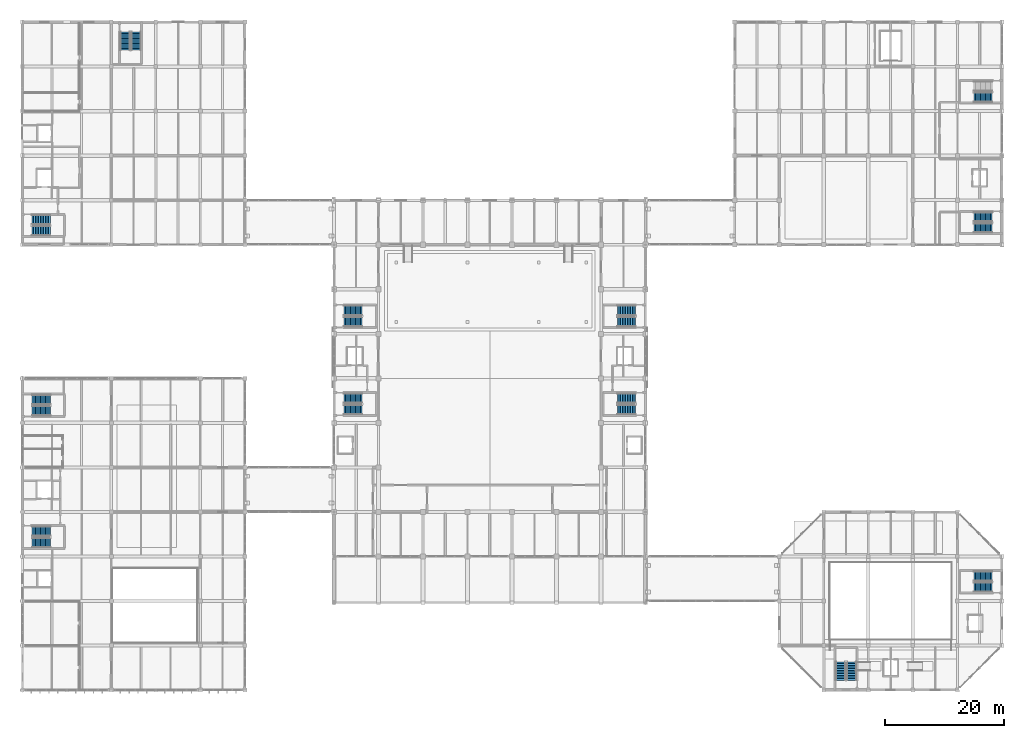
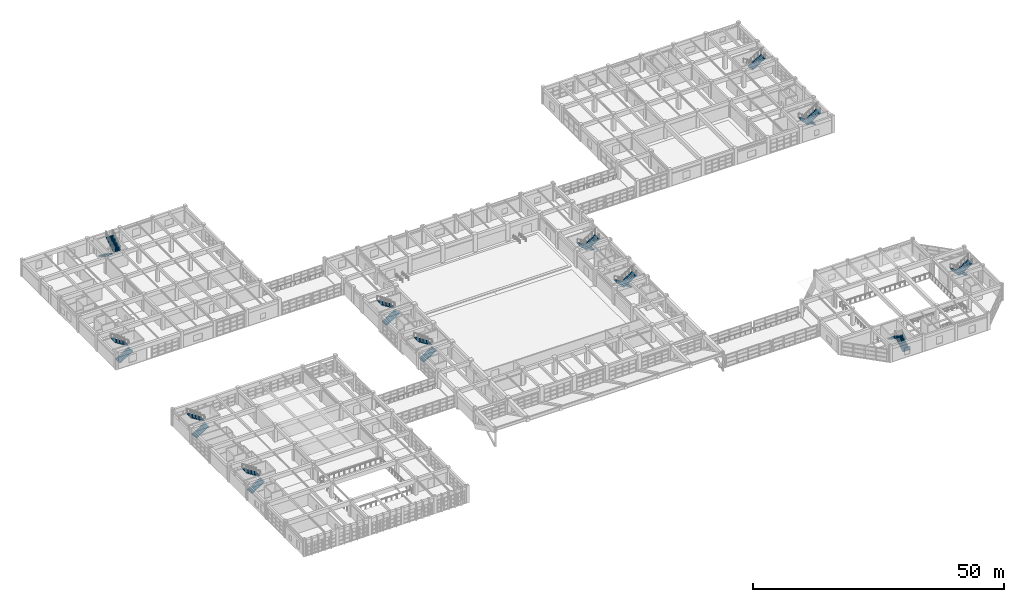
# One storey, part 110 of 132: 23 stair flights, 12 elements without a shape of their own.
"""IFC4 building model written with IfcOpenShell, lengths in metres."""

from ifc_helpers import new_model, si_unit, direction, frame, origin, place, context, subcontext, project, spatial, polyline, outline, extrude, material, type_object, element, aggregate, save


model = new_model("IFC4")

# Units and contexts
model_context = context("Model", 3, precision=1e-05, world=origin(), true_north=direction((0.0, 1.0)))
body_context = subcontext(model_context, "Body", "Model", "MODEL_VIEW")
ifc_project = project(units=[si_unit("LENGTHUNIT", "METRE"), si_unit("AREAUNIT", "SQUARE_METRE"), si_unit("VOLUMEUNIT", "CUBIC_METRE"), si_unit("PLANEANGLEUNIT", "RADIAN"), si_unit("MASSUNIT", "GRAM", prefix="KILO")], contexts=[model_context])

# Site, building, storey
site_placement = place(None, origin())
site = spatial("IfcSite", under=ifc_project, at=site_placement, CompositionType="ELEMENT")
building_placement = place(site_placement, origin())
building = spatial("IfcBuilding", under=site, at=building_placement, Name="Qasida Concert Hall", CompositionType="ELEMENT")
storey_placement = place(building_placement, frame((0.0, 0.0, 4.800048828125)))
storey = spatial("IfcBuildingStorey", under=building, at=storey_placement, Name="L01", CompositionType="ELEMENT", Elevation=4.800048828125)

# Stair, stair flights
ifc_material = material(Name="Concrete C40/50", Category="concrete")
stair_type_1 = type_object("IfcStairType", Name="ST-DL-165", PredefinedType="HALF_TURN_STAIR", material=ifc_material)
stair_1_placement = place(storey_placement, origin())
stair_1 = element("IfcStair", 1, at=stair_1_placement, inside=storey, type_object=stair_type_1, Name="L01 Exit stair ST-05", PredefinedType="HALF_TURN_STAIR")
stair_flight_type_1 = type_object("IfcStairFlightType", Name="SF-DL-165", PredefinedType="STRAIGHT", material=ifc_material)
stair_flight_1_placement = place(storey_placement, frame((1.64990234375, 77.324951171875, 0.0), z_axis=(0.0, 0.0, 1.0), x_axis=(1.0, 0.0, 0.0)))
stair_flight_1 = element("IfcStairFlight", 2, at=stair_flight_1_placement, type_object=stair_flight_type_1, Name="ST-05 flight 1", NumberOfRisers=12, NumberOfTreads=11, PredefinedType="STRAIGHT", RiserHeight=0.175, TreadLength=0.28, context=body_context, shape_type="SweptSolid", body=[
    extrude(outline(polyline([(0.0, 0.0), (0.0, 0.175048828125), (0.280029296875, 0.175048828125), (0.280029296875, 0.35009765625), (0.56005859375, 0.35009765625), (0.56005859375, 0.52490234375), (0.840087890625, 0.52490234375), (0.840087890625, 0.699951171875), (1.1201171875, 0.699951171875), (1.1201171875, 0.875), (1.39990234375, 0.875), (1.39990234375, 1.050048828125), (1.679931640625, 1.050048828125), (1.679931640625, 1.22509765625), (1.9599609375, 1.22509765625), (1.9599609375, 1.39990234375), (2.239990234375, 1.39990234375), (2.239990234375, 1.574951171875), (2.52001953125, 1.574951171875), (2.52001953125, 1.75), (2.800048828125, 1.75), (2.800048828125, 1.925048828125), (3.080078125, 1.925048828125), (3.080078125, 2.10009765625), (3.080078125, 1.736328125), (0.3017578125, 0.0), (0.0, 0.0)])), frame((0.0, 0.824951171875, 0.0), z_axis=(0.0, -1.0, 0.0), x_axis=(1.0, 0.0, 0.0)), (0.0, 0.0, 1.0), 1.64990234375),
])
stair_flight_2_placement = place(storey_placement, frame((4.72998046875, 79.175048828125, 2.099853515625), z_axis=(0.0, 0.0, 1.0), x_axis=(-1.0, 0.0, 0.0)))
stair_flight_2 = element("IfcStairFlight", 3, at=stair_flight_2_placement, type_object=stair_flight_type_1, Name="ST-05 flight 2", NumberOfRisers=12, NumberOfTreads=11, PredefinedType="STRAIGHT", RiserHeight=0.175, TreadLength=0.28, context=body_context, shape_type="SweptSolid", body=[
    extrude(outline(polyline([(0.0, 0.0), (0.0, 0.175048828125), (0.280029296875, 0.175048828125), (0.280029296875, 0.35009765625), (0.56005859375, 0.35009765625), (0.56005859375, 0.52490234375), (0.840087890625, 0.52490234375), (0.840087890625, 0.699951171875), (1.1201171875, 0.699951171875), (1.1201171875, 0.875), (1.39990234375, 0.875), (1.39990234375, 1.050048828125), (1.679931640625, 1.050048828125), (1.679931640625, 1.22509765625), (1.9599609375, 1.22509765625), (1.9599609375, 1.39990234375), (2.239990234375, 1.39990234375), (2.239990234375, 1.574951171875), (2.52001953125, 1.574951171875), (2.52001953125, 1.75), (2.800048828125, 1.75), (2.800048828125, 1.925048828125), (3.080078125, 1.925048828125), (3.080078125, 2.10009765625), (3.080078125, 1.736328125), (0.3017578125, 0.0), (0.0, 0.0)])), frame((0.0, 0.824951171875, 0.0), z_axis=(0.0, -1.0, 0.0), x_axis=(1.0, 0.0, 0.0)), (0.0, 0.0, 1.0), 1.64990234375),
])
aggregate(stair_1, [stair_flight_1, stair_flight_2])

stair_2_placement = place(storey_placement, origin())
stair_2 = element("IfcStair", 4, at=stair_2_placement, inside=storey, type_object=stair_type_1, Name="L01 Exit stair ST-06", PredefinedType="HALF_TURN_STAIR")
stair_flight_3_placement = place(storey_placement, frame((17.324951171875, 110.85009765625, 0.0), z_axis=(0.0, 0.0, 1.0), x_axis=(0.0, -1.0, 0.0)))
stair_flight_3 = element("IfcStairFlight", 5, at=stair_flight_3_placement, type_object=stair_flight_type_1, Name="ST-06 flight 1", NumberOfRisers=12, NumberOfTreads=11, PredefinedType="STRAIGHT", RiserHeight=0.175, TreadLength=0.28, context=body_context, shape_type="SweptSolid", body=[
    extrude(outline(polyline([(0.0, 0.0), (0.0, 0.175048828125), (0.280029296875, 0.175048828125), (0.280029296875, 0.35009765625), (0.56005859375, 0.35009765625), (0.56005859375, 0.52490234375), (0.840087890625, 0.52490234375), (0.840087890625, 0.699951171875), (1.1201171875, 0.699951171875), (1.1201171875, 0.875), (1.39990234375, 0.875), (1.39990234375, 1.050048828125), (1.679931640625, 1.050048828125), (1.679931640625, 1.22509765625), (1.9599609375, 1.22509765625), (1.9599609375, 1.39990234375), (2.239990234375, 1.39990234375), (2.239990234375, 1.574951171875), (2.52001953125, 1.574951171875), (2.52001953125, 1.75), (2.800048828125, 1.75), (2.800048828125, 1.925048828125), (3.080078125, 1.925048828125), (3.080078125, 2.10009765625), (3.080078125, 1.736328125), (0.3017578125, 0.0), (0.0, 0.0)])), frame((0.0, 0.824951171875, 0.0), z_axis=(0.0, -1.0, 0.0), x_axis=(1.0, 0.0, 0.0)), (0.0, 0.0, 1.0), 1.64990234375),
])
stair_flight_4_placement = place(storey_placement, frame((19.175048828125, 107.77001953125, 2.099853515625), z_axis=(0.0, 0.0, 1.0), x_axis=(0.0, 1.0, 0.0)))
stair_flight_4 = element("IfcStairFlight", 6, at=stair_flight_4_placement, type_object=stair_flight_type_1, Name="ST-06 flight 2", NumberOfRisers=12, NumberOfTreads=11, PredefinedType="STRAIGHT", RiserHeight=0.175, TreadLength=0.28, context=body_context, shape_type="SweptSolid", body=[
    extrude(outline(polyline([(0.0, 0.0), (0.0, 0.175048828125), (0.280029296875, 0.175048828125), (0.280029296875, 0.35009765625), (0.56005859375, 0.35009765625), (0.56005859375, 0.52490234375), (0.840087890625, 0.52490234375), (0.840087890625, 0.699951171875), (1.1201171875, 0.699951171875), (1.1201171875, 0.875), (1.39990234375, 0.875), (1.39990234375, 1.050048828125), (1.679931640625, 1.050048828125), (1.679931640625, 1.22509765625), (1.9599609375, 1.22509765625), (1.9599609375, 1.39990234375), (2.239990234375, 1.39990234375), (2.239990234375, 1.574951171875), (2.52001953125, 1.574951171875), (2.52001953125, 1.75), (2.800048828125, 1.75), (2.800048828125, 1.925048828125), (3.080078125, 1.925048828125), (3.080078125, 2.10009765625), (3.080078125, 1.736328125), (0.3017578125, 0.0), (0.0, 0.0)])), frame((0.0, 0.824951171875, 0.0), z_axis=(0.0, -1.0, 0.0), x_axis=(1.0, 0.0, 0.0)), (0.0, 0.0, 1.0), 1.64990234375),
])
aggregate(stair_2, [stair_flight_3, stair_flight_4])

stair_3_placement = place(storey_placement, origin())
stair_3 = element("IfcStair", 7, at=stair_3_placement, inside=storey, type_object=stair_type_1, Name="L01 Exit stair ST-07", PredefinedType="HALF_TURN_STAIR")
stair_flight_5_placement = place(storey_placement, frame((163.35009765625, 79.675048828125, 0.0), z_axis=(0.0, 0.0, 1.0), x_axis=(-1.0, 0.0, 0.0)))
stair_flight_5 = element("IfcStairFlight", 8, at=stair_flight_5_placement, type_object=stair_flight_type_1, Name="ST-07 flight 1", NumberOfRisers=12, NumberOfTreads=11, PredefinedType="STRAIGHT", RiserHeight=0.175, TreadLength=0.28, context=body_context, shape_type="SweptSolid", body=[
    extrude(outline(polyline([(0.0, 0.0), (0.0, 0.175048828125), (0.280029296875, 0.175048828125), (0.280029296875, 0.35009765625), (0.56005859375, 0.35009765625), (0.56005859375, 0.52490234375), (0.840087890625, 0.52490234375), (0.840087890625, 0.699951171875), (1.1201171875, 0.699951171875), (1.1201171875, 0.875), (1.39990234375, 0.875), (1.39990234375, 1.050048828125), (1.679931640625, 1.050048828125), (1.679931640625, 1.22509765625), (1.9599609375, 1.22509765625), (1.9599609375, 1.39990234375), (2.239990234375, 1.39990234375), (2.239990234375, 1.574951171875), (2.52001953125, 1.574951171875), (2.52001953125, 1.75), (2.800048828125, 1.75), (2.800048828125, 1.925048828125), (3.080078125, 1.925048828125), (3.080078125, 2.10009765625), (3.080078125, 1.736328125), (0.3017578125, 0.0), (0.0, 0.0)])), frame((0.0, 0.824951171875, 0.0), z_axis=(0.0, -1.0, 0.0), x_axis=(1.0, 0.0, 0.0)), (0.0, 0.0, 1.0), 1.64990234375),
])
stair_flight_6_placement = place(storey_placement, frame((160.27001953125, 77.824951171875, 2.099853515625), z_axis=(0.0, 0.0, 1.0), x_axis=(1.0, 0.0, 0.0)))
stair_flight_6 = element("IfcStairFlight", 9, at=stair_flight_6_placement, type_object=stair_flight_type_1, Name="ST-07 flight 2", NumberOfRisers=12, NumberOfTreads=11, PredefinedType="STRAIGHT", RiserHeight=0.175, TreadLength=0.28, context=body_context, shape_type="SweptSolid", body=[
    extrude(outline(polyline([(0.0, 0.0), (0.0, 0.175048828125), (0.280029296875, 0.175048828125), (0.280029296875, 0.35009765625), (0.56005859375, 0.35009765625), (0.56005859375, 0.52490234375), (0.840087890625, 0.52490234375), (0.840087890625, 0.699951171875), (1.1201171875, 0.699951171875), (1.1201171875, 0.875), (1.39990234375, 0.875), (1.39990234375, 1.050048828125), (1.679931640625, 1.050048828125), (1.679931640625, 1.22509765625), (1.9599609375, 1.22509765625), (1.9599609375, 1.39990234375), (2.239990234375, 1.39990234375), (2.239990234375, 1.574951171875), (2.52001953125, 1.574951171875), (2.52001953125, 1.75), (2.800048828125, 1.75), (2.800048828125, 1.925048828125), (3.080078125, 1.925048828125), (3.080078125, 2.10009765625), (3.080078125, 1.736328125), (0.3017578125, 0.0), (0.0, 0.0)])), frame((0.0, 0.824951171875, 0.0), z_axis=(0.0, -1.0, 0.0), x_axis=(1.0, 0.0, 0.0)), (0.0, 0.0, 1.0), 1.64990234375),
])
aggregate(stair_3, [stair_flight_5, stair_flight_6])

# Stair, stair flight
stair_4_placement = place(storey_placement, origin())
stair_4 = element("IfcStair", 10, at=stair_4_placement, inside=storey, type_object=stair_type_1, Name="L01 Exit stair ST-08", PredefinedType="HALF_TURN_STAIR")
stair_flight_7_placement = place(storey_placement, frame((160.27001953125, 99.824951171875, 2.099853515625), z_axis=(0.0, 0.0, 1.0), x_axis=(1.0, 0.0, 0.0)))
stair_flight_7 = element("IfcStairFlight", 11, at=stair_flight_7_placement, type_object=stair_flight_type_1, Name="ST-08 flight 2", NumberOfRisers=12, NumberOfTreads=11, PredefinedType="STRAIGHT", RiserHeight=0.175, TreadLength=0.28, context=body_context, shape_type="SweptSolid", body=[
    extrude(outline(polyline([(0.0, 0.0), (0.0, 0.175048828125), (0.280029296875, 0.175048828125), (0.280029296875, 0.35009765625), (0.56005859375, 0.35009765625), (0.56005859375, 0.52490234375), (0.840087890625, 0.52490234375), (0.840087890625, 0.699951171875), (1.1201171875, 0.699951171875), (1.1201171875, 0.875), (1.39990234375, 0.875), (1.39990234375, 1.050048828125), (1.679931640625, 1.050048828125), (1.679931640625, 1.22509765625), (1.9599609375, 1.22509765625), (1.9599609375, 1.39990234375), (2.239990234375, 1.39990234375), (2.239990234375, 1.574951171875), (2.52001953125, 1.574951171875), (2.52001953125, 1.75), (2.800048828125, 1.75), (2.800048828125, 1.925048828125), (3.080078125, 1.925048828125), (3.080078125, 2.10009765625), (3.080078125, 1.736328125), (0.3017578125, 0.0), (0.0, 0.0)])), frame((0.0, 0.824951171875, 0.0), z_axis=(0.0, -1.0, 0.0), x_axis=(1.0, 0.0, 0.0)), (0.0, 0.0, 1.0), 1.64990234375),
])
aggregate(stair_4, [stair_flight_7])

# Stair, stair flights
stair_5_placement = place(storey_placement, origin())
stair_5 = element("IfcStair", 12, at=stair_5_placement, inside=storey, type_object=stair_type_1, Name="L01 Exit stair ST-09", PredefinedType="HALF_TURN_STAIR")
stair_flight_8_placement = place(storey_placement, frame((139.675048828125, 1.64990234375, 0.0), z_axis=(0.0, 0.0, 1.0), x_axis=(0.0, 1.0, 0.0)))
stair_flight_8 = element("IfcStairFlight", 13, at=stair_flight_8_placement, type_object=stair_flight_type_1, Name="ST-09 flight 1", NumberOfRisers=12, NumberOfTreads=11, PredefinedType="STRAIGHT", RiserHeight=0.175, TreadLength=0.28, context=body_context, shape_type="SweptSolid", body=[
    extrude(outline(polyline([(0.0, 0.0), (0.0, 0.175048828125), (0.280029296875, 0.175048828125), (0.280029296875, 0.35009765625), (0.56005859375, 0.35009765625), (0.56005859375, 0.52490234375), (0.840087890625, 0.52490234375), (0.840087890625, 0.699951171875), (1.1201171875, 0.699951171875), (1.1201171875, 0.875), (1.39990234375, 0.875), (1.39990234375, 1.050048828125), (1.679931640625, 1.050048828125), (1.679931640625, 1.22509765625), (1.9599609375, 1.22509765625), (1.9599609375, 1.39990234375), (2.239990234375, 1.39990234375), (2.239990234375, 1.574951171875), (2.52001953125, 1.574951171875), (2.52001953125, 1.75), (2.800048828125, 1.75), (2.800048828125, 1.925048828125), (3.080078125, 1.925048828125), (3.080078125, 2.10009765625), (3.080078125, 1.736328125), (0.3017578125, 0.0), (0.0, 0.0)])), frame((0.0, 0.824951171875, 0.0), z_axis=(0.0, -1.0, 0.0), x_axis=(1.0, 0.0, 0.0)), (0.0, 0.0, 1.0), 1.64990234375),
])
stair_flight_9_placement = place(storey_placement, frame((137.824951171875, 4.72998046875, 2.099853515625), z_axis=(0.0, 0.0, 1.0), x_axis=(0.0, -1.0, 0.0)))
stair_flight_9 = element("IfcStairFlight", 14, at=stair_flight_9_placement, type_object=stair_flight_type_1, Name="ST-09 flight 2", NumberOfRisers=12, NumberOfTreads=11, PredefinedType="STRAIGHT", RiserHeight=0.175, TreadLength=0.28, context=body_context, shape_type="SweptSolid", body=[
    extrude(outline(polyline([(0.0, 0.0), (0.0, 0.175048828125), (0.280029296875, 0.175048828125), (0.280029296875, 0.35009765625), (0.56005859375, 0.35009765625), (0.56005859375, 0.52490234375), (0.840087890625, 0.52490234375), (0.840087890625, 0.699951171875), (1.1201171875, 0.699951171875), (1.1201171875, 0.875), (1.39990234375, 0.875), (1.39990234375, 1.050048828125), (1.679931640625, 1.050048828125), (1.679931640625, 1.22509765625), (1.9599609375, 1.22509765625), (1.9599609375, 1.39990234375), (2.239990234375, 1.39990234375), (2.239990234375, 1.574951171875), (2.52001953125, 1.574951171875), (2.52001953125, 1.75), (2.800048828125, 1.75), (2.800048828125, 1.925048828125), (3.080078125, 1.925048828125), (3.080078125, 2.10009765625), (3.080078125, 1.736328125), (0.3017578125, 0.0), (0.0, 0.0)])), frame((0.0, 0.824951171875, 0.0), z_axis=(0.0, -1.0, 0.0), x_axis=(1.0, 0.0, 0.0)), (0.0, 0.0, 1.0), 1.64990234375),
])
aggregate(stair_5, [stair_flight_8, stair_flight_9])

stair_6_placement = place(storey_placement, origin())
stair_6 = element("IfcStair", 15, at=stair_6_placement, inside=storey, type_object=stair_type_1, Name="L01 Exit stair ST-10", PredefinedType="HALF_TURN_STAIR")
stair_flight_10_placement = place(storey_placement, frame((163.35009765625, 19.175048828125, 0.0), z_axis=(0.0, 0.0, 1.0), x_axis=(-1.0, 0.0, 0.0)))
stair_flight_10 = element("IfcStairFlight", 16, at=stair_flight_10_placement, type_object=stair_flight_type_1, Name="ST-10 flight 1", NumberOfRisers=12, NumberOfTreads=11, PredefinedType="STRAIGHT", RiserHeight=0.175, TreadLength=0.28, context=body_context, shape_type="SweptSolid", body=[
    extrude(outline(polyline([(0.0, 0.0), (0.0, 0.175048828125), (0.280029296875, 0.175048828125), (0.280029296875, 0.35009765625), (0.56005859375, 0.35009765625), (0.56005859375, 0.52490234375), (0.840087890625, 0.52490234375), (0.840087890625, 0.699951171875), (1.1201171875, 0.699951171875), (1.1201171875, 0.875), (1.39990234375, 0.875), (1.39990234375, 1.050048828125), (1.679931640625, 1.050048828125), (1.679931640625, 1.22509765625), (1.9599609375, 1.22509765625), (1.9599609375, 1.39990234375), (2.239990234375, 1.39990234375), (2.239990234375, 1.574951171875), (2.52001953125, 1.574951171875), (2.52001953125, 1.75), (2.800048828125, 1.75), (2.800048828125, 1.925048828125), (3.080078125, 1.925048828125), (3.080078125, 2.10009765625), (3.080078125, 1.736328125), (0.3017578125, 0.0), (0.0, 0.0)])), frame((0.0, 0.824951171875, 0.0), z_axis=(0.0, -1.0, 0.0), x_axis=(1.0, 0.0, 0.0)), (0.0, 0.0, 1.0), 1.64990234375),
])
stair_flight_11_placement = place(storey_placement, frame((160.27001953125, 17.324951171875, 2.099853515625), z_axis=(0.0, 0.0, 1.0), x_axis=(1.0, 0.0, 0.0)))
stair_flight_11 = element("IfcStairFlight", 17, at=stair_flight_11_placement, type_object=stair_flight_type_1, Name="ST-10 flight 2", NumberOfRisers=12, NumberOfTreads=11, PredefinedType="STRAIGHT", RiserHeight=0.175, TreadLength=0.28, context=body_context, shape_type="SweptSolid", body=[
    extrude(outline(polyline([(0.0, 0.0), (0.0, 0.175048828125), (0.280029296875, 0.175048828125), (0.280029296875, 0.35009765625), (0.56005859375, 0.35009765625), (0.56005859375, 0.52490234375), (0.840087890625, 0.52490234375), (0.840087890625, 0.699951171875), (1.1201171875, 0.699951171875), (1.1201171875, 0.875), (1.39990234375, 0.875), (1.39990234375, 1.050048828125), (1.679931640625, 1.050048828125), (1.679931640625, 1.22509765625), (1.9599609375, 1.22509765625), (1.9599609375, 1.39990234375), (2.239990234375, 1.39990234375), (2.239990234375, 1.574951171875), (2.52001953125, 1.574951171875), (2.52001953125, 1.75), (2.800048828125, 1.75), (2.800048828125, 1.925048828125), (3.080078125, 1.925048828125), (3.080078125, 2.10009765625), (3.080078125, 1.736328125), (0.3017578125, 0.0), (0.0, 0.0)])), frame((0.0, 0.824951171875, 0.0), z_axis=(0.0, -1.0, 0.0), x_axis=(1.0, 0.0, 0.0)), (0.0, 0.0, 1.0), 1.64990234375),
])
aggregate(stair_6, [stair_flight_10, stair_flight_11])

stair_type_2 = type_object("IfcStairType", Name="ST-DL-168", PredefinedType="HALF_TURN_STAIR", material=ifc_material)
stair_7_placement = place(storey_placement, origin())
stair_7 = element("IfcStair", 18, at=stair_7_placement, inside=storey, type_object=stair_type_2, Name="L01 Exit stair ST-01", PredefinedType="HALF_TURN_STAIR")
stair_flight_type_2 = type_object("IfcStairFlightType", Name="SF-DL-168", PredefinedType="STRAIGHT", material=ifc_material)
stair_flight_12_placement = place(storey_placement, frame((54.179931640625, 47.239990234375, 0.0), z_axis=(0.0, 0.0, 1.0), x_axis=(1.0, 0.0, 0.0)))
stair_flight_12 = element("IfcStairFlight", 19, at=stair_flight_12_placement, type_object=stair_flight_type_2, Name="ST-01 flight 1", NumberOfRisers=12, NumberOfTreads=11, PredefinedType="STRAIGHT", RiserHeight=0.175, TreadLength=0.28, context=body_context, shape_type="SweptSolid", body=[
    extrude(outline(polyline([(0.0, 0.0), (0.0, 0.175048828125), (0.280029296875, 0.175048828125), (0.280029296875, 0.35009765625), (0.56005859375, 0.35009765625), (0.56005859375, 0.52490234375), (0.840087890625, 0.52490234375), (0.840087890625, 0.699951171875), (1.1201171875, 0.699951171875), (1.1201171875, 0.875), (1.39990234375, 0.875), (1.39990234375, 1.050048828125), (1.679931640625, 1.050048828125), (1.679931640625, 1.22509765625), (1.9599609375, 1.22509765625), (1.9599609375, 1.39990234375), (2.239990234375, 1.39990234375), (2.239990234375, 1.574951171875), (2.52001953125, 1.574951171875), (2.52001953125, 1.75), (2.800048828125, 1.75), (2.800048828125, 1.925048828125), (3.080078125, 1.925048828125), (3.080078125, 2.10009765625), (3.080078125, 1.736328125), (0.3017578125, 0.0), (0.0, 0.0)])), frame((0.0, 0.83984375, 0.0), z_axis=(0.0, -1.0, 0.0), x_axis=(1.0, 0.0, 0.0)), (0.0, 0.0, 1.0), 1.679931640625),
])
stair_flight_13_placement = place(storey_placement, frame((57.260009765625, 49.1201171875, 2.099853515625), z_axis=(0.0, 0.0, 1.0), x_axis=(-1.0, 0.0, 0.0)))
stair_flight_13 = element("IfcStairFlight", 20, at=stair_flight_13_placement, type_object=stair_flight_type_2, Name="ST-01 flight 2", NumberOfRisers=12, NumberOfTreads=11, PredefinedType="STRAIGHT", RiserHeight=0.175, TreadLength=0.28, context=body_context, shape_type="SweptSolid", body=[
    extrude(outline(polyline([(0.0, 0.0), (0.0, 0.175048828125), (0.280029296875, 0.175048828125), (0.280029296875, 0.35009765625), (0.56005859375, 0.35009765625), (0.56005859375, 0.52490234375), (0.840087890625, 0.52490234375), (0.840087890625, 0.699951171875), (1.1201171875, 0.699951171875), (1.1201171875, 0.875), (1.39990234375, 0.875), (1.39990234375, 1.050048828125), (1.679931640625, 1.050048828125), (1.679931640625, 1.22509765625), (1.9599609375, 1.22509765625), (1.9599609375, 1.39990234375), (2.239990234375, 1.39990234375), (2.239990234375, 1.574951171875), (2.52001953125, 1.574951171875), (2.52001953125, 1.75), (2.800048828125, 1.75), (2.800048828125, 1.925048828125), (3.080078125, 1.925048828125), (3.080078125, 2.10009765625), (3.080078125, 1.736328125), (0.3017578125, 0.0), (0.0, 0.0)])), frame((0.0, 0.83984375, 0.0), z_axis=(0.0, -1.0, 0.0), x_axis=(1.0, 0.0, 0.0)), (0.0, 0.0, 1.0), 1.679931640625),
])
aggregate(stair_7, [stair_flight_12, stair_flight_13])

stair_8_placement = place(storey_placement, origin())
stair_8 = element("IfcStair", 21, at=stair_8_placement, inside=storey, type_object=stair_type_2, Name="L01 Exit stair ST-02", PredefinedType="HALF_TURN_STAIR")
stair_flight_14_placement = place(storey_placement, frame((103.320068359375, 49.1201171875, 0.0), z_axis=(0.0, 0.0, 1.0), x_axis=(-1.0, 0.0, 0.0)))
stair_flight_14 = element("IfcStairFlight", 22, at=stair_flight_14_placement, type_object=stair_flight_type_2, Name="ST-02 flight 1", NumberOfRisers=12, NumberOfTreads=11, PredefinedType="STRAIGHT", RiserHeight=0.175, TreadLength=0.28, context=body_context, shape_type="SweptSolid", body=[
    extrude(outline(polyline([(0.0, 0.0), (0.0, 0.175048828125), (0.280029296875, 0.175048828125), (0.280029296875, 0.35009765625), (0.56005859375, 0.35009765625), (0.56005859375, 0.52490234375), (0.840087890625, 0.52490234375), (0.840087890625, 0.699951171875), (1.1201171875, 0.699951171875), (1.1201171875, 0.875), (1.39990234375, 0.875), (1.39990234375, 1.050048828125), (1.679931640625, 1.050048828125), (1.679931640625, 1.22509765625), (1.9599609375, 1.22509765625), (1.9599609375, 1.39990234375), (2.239990234375, 1.39990234375), (2.239990234375, 1.574951171875), (2.52001953125, 1.574951171875), (2.52001953125, 1.75), (2.800048828125, 1.75), (2.800048828125, 1.925048828125), (3.080078125, 1.925048828125), (3.080078125, 2.10009765625), (3.080078125, 1.736328125), (0.3017578125, 0.0), (0.0, 0.0)])), frame((0.0, 0.83984375, 0.0), z_axis=(0.0, -1.0, 0.0), x_axis=(1.0, 0.0, 0.0)), (0.0, 0.0, 1.0), 1.679931640625),
])
stair_flight_15_placement = place(storey_placement, frame((100.239990234375, 47.239990234375, 2.099853515625), z_axis=(0.0, 0.0, 1.0), x_axis=(1.0, 0.0, 0.0)))
stair_flight_15 = element("IfcStairFlight", 23, at=stair_flight_15_placement, type_object=stair_flight_type_2, Name="ST-02 flight 2", NumberOfRisers=12, NumberOfTreads=11, PredefinedType="STRAIGHT", RiserHeight=0.175, TreadLength=0.28, context=body_context, shape_type="SweptSolid", body=[
    extrude(outline(polyline([(0.0, 0.0), (0.0, 0.175048828125), (0.280029296875, 0.175048828125), (0.280029296875, 0.35009765625), (0.56005859375, 0.35009765625), (0.56005859375, 0.52490234375), (0.840087890625, 0.52490234375), (0.840087890625, 0.699951171875), (1.1201171875, 0.699951171875), (1.1201171875, 0.875), (1.39990234375, 0.875), (1.39990234375, 1.050048828125), (1.679931640625, 1.050048828125), (1.679931640625, 1.22509765625), (1.9599609375, 1.22509765625), (1.9599609375, 1.39990234375), (2.239990234375, 1.39990234375), (2.239990234375, 1.574951171875), (2.52001953125, 1.574951171875), (2.52001953125, 1.75), (2.800048828125, 1.75), (2.800048828125, 1.925048828125), (3.080078125, 1.925048828125), (3.080078125, 2.10009765625), (3.080078125, 1.736328125), (0.3017578125, 0.0), (0.0, 0.0)])), frame((0.0, 0.83984375, 0.0), z_axis=(0.0, -1.0, 0.0), x_axis=(1.0, 0.0, 0.0)), (0.0, 0.0, 1.0), 1.679931640625),
])
aggregate(stair_8, [stair_flight_14, stair_flight_15])

stair_9_placement = place(storey_placement, origin())
stair_9 = element("IfcStair", 24, at=stair_9_placement, inside=storey, type_object=stair_type_2, Name="L01 Exit stair ST-03", PredefinedType="HALF_TURN_STAIR")
stair_flight_16_placement = place(storey_placement, frame((1.679931640625, 24.840087890625, 0.0), z_axis=(0.0, 0.0, 1.0), x_axis=(1.0, 0.0, 0.0)))
stair_flight_16 = element("IfcStairFlight", 25, at=stair_flight_16_placement, type_object=stair_flight_type_2, Name="ST-03 flight 1", NumberOfRisers=12, NumberOfTreads=11, PredefinedType="STRAIGHT", RiserHeight=0.175, TreadLength=0.28, context=body_context, shape_type="SweptSolid", body=[
    extrude(outline(polyline([(0.0, 0.0), (0.0, 0.175048828125), (0.280029296875, 0.175048828125), (0.280029296875, 0.35009765625), (0.56005859375, 0.35009765625), (0.56005859375, 0.52490234375), (0.840087890625, 0.52490234375), (0.840087890625, 0.699951171875), (1.1201171875, 0.699951171875), (1.1201171875, 0.875), (1.39990234375, 0.875), (1.39990234375, 1.050048828125), (1.679931640625, 1.050048828125), (1.679931640625, 1.22509765625), (1.9599609375, 1.22509765625), (1.9599609375, 1.39990234375), (2.239990234375, 1.39990234375), (2.239990234375, 1.574951171875), (2.52001953125, 1.574951171875), (2.52001953125, 1.75), (2.800048828125, 1.75), (2.800048828125, 1.925048828125), (3.080078125, 1.925048828125), (3.080078125, 2.10009765625), (3.080078125, 1.736328125), (0.3017578125, 0.0), (0.0, 0.0)])), frame((0.0, 0.83984375, 0.0), z_axis=(0.0, -1.0, 0.0), x_axis=(1.0, 0.0, 0.0)), (0.0, 0.0, 1.0), 1.679931640625),
])
stair_flight_17_placement = place(storey_placement, frame((4.760009765625, 26.719970703125, 2.099853515625), z_axis=(0.0, 0.0, 1.0), x_axis=(-1.0, 0.0, 0.0)))
stair_flight_17 = element("IfcStairFlight", 26, at=stair_flight_17_placement, type_object=stair_flight_type_2, Name="ST-03 flight 2", NumberOfRisers=12, NumberOfTreads=11, PredefinedType="STRAIGHT", RiserHeight=0.175, TreadLength=0.28, context=body_context, shape_type="SweptSolid", body=[
    extrude(outline(polyline([(0.0, 0.0), (0.0, 0.175048828125), (0.280029296875, 0.175048828125), (0.280029296875, 0.35009765625), (0.56005859375, 0.35009765625), (0.56005859375, 0.52490234375), (0.840087890625, 0.52490234375), (0.840087890625, 0.699951171875), (1.1201171875, 0.699951171875), (1.1201171875, 0.875), (1.39990234375, 0.875), (1.39990234375, 1.050048828125), (1.679931640625, 1.050048828125), (1.679931640625, 1.22509765625), (1.9599609375, 1.22509765625), (1.9599609375, 1.39990234375), (2.239990234375, 1.39990234375), (2.239990234375, 1.574951171875), (2.52001953125, 1.574951171875), (2.52001953125, 1.75), (2.800048828125, 1.75), (2.800048828125, 1.925048828125), (3.080078125, 1.925048828125), (3.080078125, 2.10009765625), (3.080078125, 1.736328125), (0.3017578125, 0.0), (0.0, 0.0)])), frame((0.0, 0.83984375, 0.0), z_axis=(0.0, -1.0, 0.0), x_axis=(1.0, 0.0, 0.0)), (0.0, 0.0, 1.0), 1.679931640625),
])
aggregate(stair_9, [stair_flight_16, stair_flight_17])

stair_10_placement = place(storey_placement, origin())
stair_10 = element("IfcStair", 27, at=stair_10_placement, inside=storey, type_object=stair_type_2, Name="L01 Exit stair ST-04", PredefinedType="HALF_TURN_STAIR")
stair_flight_18_placement = place(storey_placement, frame((1.679931640625, 47.0400390625, 0.0), z_axis=(0.0, 0.0, 1.0), x_axis=(1.0, 0.0, 0.0)))
stair_flight_18 = element("IfcStairFlight", 28, at=stair_flight_18_placement, type_object=stair_flight_type_2, Name="ST-04 flight 1", NumberOfRisers=12, NumberOfTreads=11, PredefinedType="STRAIGHT", RiserHeight=0.175, TreadLength=0.28, context=body_context, shape_type="SweptSolid", body=[
    extrude(outline(polyline([(0.0, 0.0), (0.0, 0.175048828125), (0.280029296875, 0.175048828125), (0.280029296875, 0.35009765625), (0.56005859375, 0.35009765625), (0.56005859375, 0.52490234375), (0.840087890625, 0.52490234375), (0.840087890625, 0.699951171875), (1.1201171875, 0.699951171875), (1.1201171875, 0.875), (1.39990234375, 0.875), (1.39990234375, 1.050048828125), (1.679931640625, 1.050048828125), (1.679931640625, 1.22509765625), (1.9599609375, 1.22509765625), (1.9599609375, 1.39990234375), (2.239990234375, 1.39990234375), (2.239990234375, 1.574951171875), (2.52001953125, 1.574951171875), (2.52001953125, 1.75), (2.800048828125, 1.75), (2.800048828125, 1.925048828125), (3.080078125, 1.925048828125), (3.080078125, 2.10009765625), (3.080078125, 1.736328125), (0.3017578125, 0.0), (0.0, 0.0)])), frame((0.0, 0.83984375, 0.0), z_axis=(0.0, -1.0, 0.0), x_axis=(1.0, 0.0, 0.0)), (0.0, 0.0, 1.0), 1.679931640625),
])
stair_flight_19_placement = place(storey_placement, frame((4.760009765625, 48.919921875, 2.099853515625), z_axis=(0.0, 0.0, 1.0), x_axis=(-1.0, 0.0, 0.0)))
stair_flight_19 = element("IfcStairFlight", 29, at=stair_flight_19_placement, type_object=stair_flight_type_2, Name="ST-04 flight 2", NumberOfRisers=12, NumberOfTreads=11, PredefinedType="STRAIGHT", RiserHeight=0.175, TreadLength=0.28, context=body_context, shape_type="SweptSolid", body=[
    extrude(outline(polyline([(0.0, 0.0), (0.0, 0.175048828125), (0.280029296875, 0.175048828125), (0.280029296875, 0.35009765625), (0.56005859375, 0.35009765625), (0.56005859375, 0.52490234375), (0.840087890625, 0.52490234375), (0.840087890625, 0.699951171875), (1.1201171875, 0.699951171875), (1.1201171875, 0.875), (1.39990234375, 0.875), (1.39990234375, 1.050048828125), (1.679931640625, 1.050048828125), (1.679931640625, 1.22509765625), (1.9599609375, 1.22509765625), (1.9599609375, 1.39990234375), (2.239990234375, 1.39990234375), (2.239990234375, 1.574951171875), (2.52001953125, 1.574951171875), (2.52001953125, 1.75), (2.800048828125, 1.75), (2.800048828125, 1.925048828125), (3.080078125, 1.925048828125), (3.080078125, 2.10009765625), (3.080078125, 1.736328125), (0.3017578125, 0.0), (0.0, 0.0)])), frame((0.0, 0.83984375, 0.0), z_axis=(0.0, -1.0, 0.0), x_axis=(1.0, 0.0, 0.0)), (0.0, 0.0, 1.0), 1.679931640625),
])
aggregate(stair_10, [stair_flight_18, stair_flight_19])

stair_11_placement = place(storey_placement, origin())
stair_11 = element("IfcStair", 30, at=stair_11_placement, inside=storey, type_object=stair_type_2, Name="L01 Exit stair ST-11", PredefinedType="HALF_TURN_STAIR")
stair_flight_20_placement = place(storey_placement, frame((54.179931640625, 62.0400390625, 0.0), z_axis=(0.0, 0.0, 1.0), x_axis=(1.0, 0.0, 0.0)))
stair_flight_20 = element("IfcStairFlight", 31, at=stair_flight_20_placement, type_object=stair_flight_type_2, Name="ST-11 flight 1", NumberOfRisers=12, NumberOfTreads=11, PredefinedType="STRAIGHT", RiserHeight=0.175, TreadLength=0.28, context=body_context, shape_type="SweptSolid", body=[
    extrude(outline(polyline([(0.0, 0.0), (0.0, 0.175048828125), (0.280029296875, 0.175048828125), (0.280029296875, 0.35009765625), (0.56005859375, 0.35009765625), (0.56005859375, 0.52490234375), (0.840087890625, 0.52490234375), (0.840087890625, 0.699951171875), (1.1201171875, 0.699951171875), (1.1201171875, 0.875), (1.39990234375, 0.875), (1.39990234375, 1.050048828125), (1.679931640625, 1.050048828125), (1.679931640625, 1.22509765625), (1.9599609375, 1.22509765625), (1.9599609375, 1.39990234375), (2.239990234375, 1.39990234375), (2.239990234375, 1.574951171875), (2.52001953125, 1.574951171875), (2.52001953125, 1.75), (2.800048828125, 1.75), (2.800048828125, 1.925048828125), (3.080078125, 1.925048828125), (3.080078125, 2.10009765625), (3.080078125, 1.736328125), (0.3017578125, 0.0), (0.0, 0.0)])), frame((0.0, 0.83984375, 0.0), z_axis=(0.0, -1.0, 0.0), x_axis=(1.0, 0.0, 0.0)), (0.0, 0.0, 1.0), 1.679931640625),
])
stair_flight_21_placement = place(storey_placement, frame((57.260009765625, 63.919921875, 2.099853515625), z_axis=(0.0, 0.0, 1.0), x_axis=(-1.0, 0.0, 0.0)))
stair_flight_21 = element("IfcStairFlight", 32, at=stair_flight_21_placement, type_object=stair_flight_type_2, Name="ST-11 flight 2", NumberOfRisers=12, NumberOfTreads=11, PredefinedType="STRAIGHT", RiserHeight=0.175, TreadLength=0.28, context=body_context, shape_type="SweptSolid", body=[
    extrude(outline(polyline([(0.0, 0.0), (0.0, 0.175048828125), (0.280029296875, 0.175048828125), (0.280029296875, 0.35009765625), (0.56005859375, 0.35009765625), (0.56005859375, 0.52490234375), (0.840087890625, 0.52490234375), (0.840087890625, 0.699951171875), (1.1201171875, 0.699951171875), (1.1201171875, 0.875), (1.39990234375, 0.875), (1.39990234375, 1.050048828125), (1.679931640625, 1.050048828125), (1.679931640625, 1.22509765625), (1.9599609375, 1.22509765625), (1.9599609375, 1.39990234375), (2.239990234375, 1.39990234375), (2.239990234375, 1.574951171875), (2.52001953125, 1.574951171875), (2.52001953125, 1.75), (2.800048828125, 1.75), (2.800048828125, 1.925048828125), (3.080078125, 1.925048828125), (3.080078125, 2.10009765625), (3.080078125, 1.736328125), (0.3017578125, 0.0), (0.0, 0.0)])), frame((0.0, 0.83984375, 0.0), z_axis=(0.0, -1.0, 0.0), x_axis=(1.0, 0.0, 0.0)), (0.0, 0.0, 1.0), 1.679931640625),
])
aggregate(stair_11, [stair_flight_20, stair_flight_21])

stair_12_placement = place(storey_placement, origin())
stair_12 = element("IfcStair", 33, at=stair_12_placement, inside=storey, type_object=stair_type_2, Name="L01 Exit stair ST-12", PredefinedType="HALF_TURN_STAIR")
stair_flight_22_placement = place(storey_placement, frame((103.320068359375, 63.919921875, 0.0), z_axis=(0.0, 0.0, 1.0), x_axis=(-1.0, 0.0, 0.0)))
stair_flight_22 = element("IfcStairFlight", 34, at=stair_flight_22_placement, type_object=stair_flight_type_2, Name="ST-12 flight 1", NumberOfRisers=12, NumberOfTreads=11, PredefinedType="STRAIGHT", RiserHeight=0.175, TreadLength=0.28, context=body_context, shape_type="SweptSolid", body=[
    extrude(outline(polyline([(0.0, 0.0), (0.0, 0.175048828125), (0.280029296875, 0.175048828125), (0.280029296875, 0.35009765625), (0.56005859375, 0.35009765625), (0.56005859375, 0.52490234375), (0.840087890625, 0.52490234375), (0.840087890625, 0.699951171875), (1.1201171875, 0.699951171875), (1.1201171875, 0.875), (1.39990234375, 0.875), (1.39990234375, 1.050048828125), (1.679931640625, 1.050048828125), (1.679931640625, 1.22509765625), (1.9599609375, 1.22509765625), (1.9599609375, 1.39990234375), (2.239990234375, 1.39990234375), (2.239990234375, 1.574951171875), (2.52001953125, 1.574951171875), (2.52001953125, 1.75), (2.800048828125, 1.75), (2.800048828125, 1.925048828125), (3.080078125, 1.925048828125), (3.080078125, 2.10009765625), (3.080078125, 1.736328125), (0.3017578125, 0.0), (0.0, 0.0)])), frame((0.0, 0.83984375, 0.0), z_axis=(0.0, -1.0, 0.0), x_axis=(1.0, 0.0, 0.0)), (0.0, 0.0, 1.0), 1.679931640625),
])
stair_flight_23_placement = place(storey_placement, frame((100.239990234375, 62.0400390625, 2.099853515625), z_axis=(0.0, 0.0, 1.0), x_axis=(1.0, 0.0, 0.0)))
stair_flight_23 = element("IfcStairFlight", 35, at=stair_flight_23_placement, type_object=stair_flight_type_2, Name="ST-12 flight 2", NumberOfRisers=12, NumberOfTreads=11, PredefinedType="STRAIGHT", RiserHeight=0.175, TreadLength=0.28, context=body_context, shape_type="SweptSolid", body=[
    extrude(outline(polyline([(0.0, 0.0), (0.0, 0.175048828125), (0.280029296875, 0.175048828125), (0.280029296875, 0.35009765625), (0.56005859375, 0.35009765625), (0.56005859375, 0.52490234375), (0.840087890625, 0.52490234375), (0.840087890625, 0.699951171875), (1.1201171875, 0.699951171875), (1.1201171875, 0.875), (1.39990234375, 0.875), (1.39990234375, 1.050048828125), (1.679931640625, 1.050048828125), (1.679931640625, 1.22509765625), (1.9599609375, 1.22509765625), (1.9599609375, 1.39990234375), (2.239990234375, 1.39990234375), (2.239990234375, 1.574951171875), (2.52001953125, 1.574951171875), (2.52001953125, 1.75), (2.800048828125, 1.75), (2.800048828125, 1.925048828125), (3.080078125, 1.925048828125), (3.080078125, 2.10009765625), (3.080078125, 1.736328125), (0.3017578125, 0.0), (0.0, 0.0)])), frame((0.0, 0.83984375, 0.0), z_axis=(0.0, -1.0, 0.0), x_axis=(1.0, 0.0, 0.0)), (0.0, 0.0, 1.0), 1.679931640625),
])
aggregate(stair_12, [stair_flight_22, stair_flight_23])

save(model, "model.ifc")
